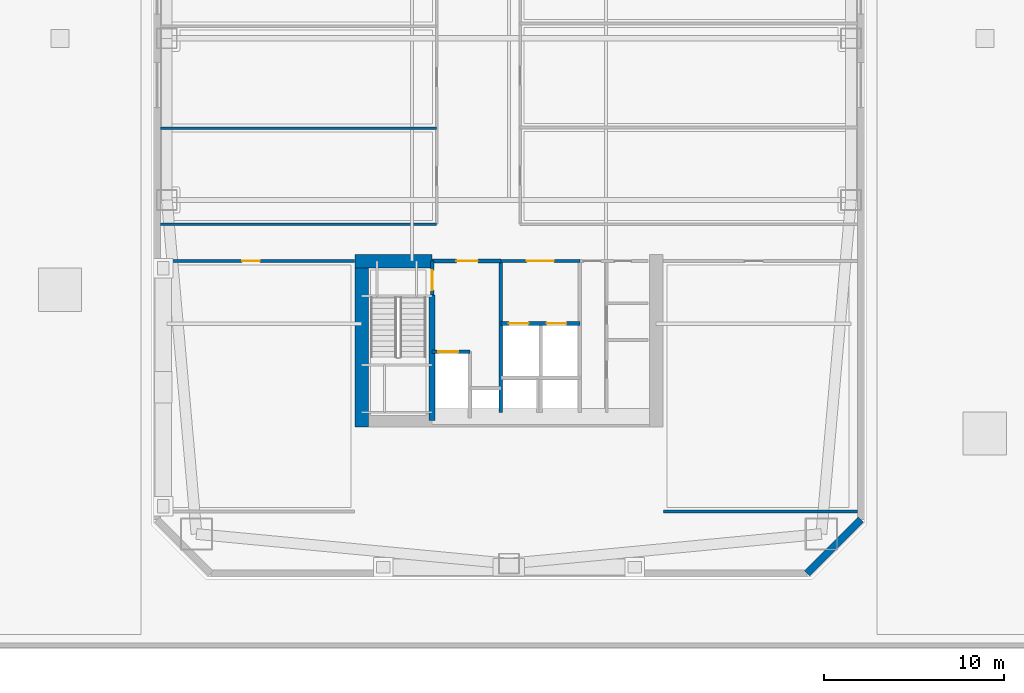
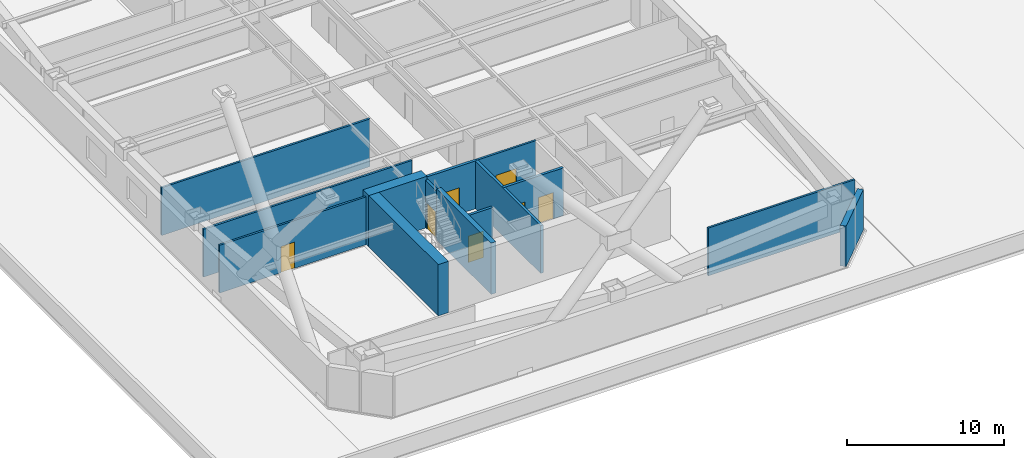
# One storey, part 5 of 20: 14 walls, 7 doors, 7 openings.
"""IFC4 building model written with IfcOpenShell, lengths in metres."""

from ifc_helpers import new_model, si_unit, direction, frame, frame_2d, origin, place, context, subcontext, project, spatial, rectangle, extrude, material, layer, layer_set, type_object, element, fill, save


model = new_model("IFC4")

# Units and contexts
model_context = context("Model", 3, precision=1e-05, world=origin(), true_north=direction((0.0, 1.0)))
body_context = subcontext(model_context, "Body", "Model", "MODEL_VIEW")
ifc_project = project(units=[si_unit("LENGTHUNIT", "METRE"), si_unit("AREAUNIT", "SQUARE_METRE"), si_unit("VOLUMEUNIT", "CUBIC_METRE"), si_unit("PLANEANGLEUNIT", "RADIAN"), si_unit("MASSUNIT", "GRAM", prefix="KILO")], contexts=[model_context])

# Site, building, storey
site_placement = place(None, origin())
site = spatial("IfcSite", under=ifc_project, at=site_placement, CompositionType="ELEMENT")
building_placement = place(site_placement, origin())
building = spatial("IfcBuilding", under=site, at=building_placement, Name="Qiaolan Cultural Towers", CompositionType="ELEMENT")
storey_placement = place(building_placement, frame((0.0, 0.0, 26.0)))
storey = spatial("IfcBuildingStorey", under=building, at=storey_placement, Name="L05", CompositionType="ELEMENT", Elevation=26.0)

# Walls
ifc_material_1 = material(Name="Concrete C50", Category="concrete")
ifc_layer_1 = layer(ifc_material_1, 0.35009765625)
ifc_layer_set_1 = layer_set([ifc_layer_1], Name="Concrete C50")
wall_type_1 = type_object("IfcWallType", Name="WL-CORE-350", PredefinedType="SHEAR", material=ifc_layer_set_1)
wall_1_placement = place(storey_placement, frame((25.719970703125, 19.699951171875, 0.0), z_axis=(0.0, 0.0, 1.0), x_axis=(0.0, -1.0, 0.0)))
element("IfcWall", 1, at=wall_1_placement, inside=storey, type_object=wall_type_1, Name="L05 T1-CS Stair Core Dividing Web", PredefinedType="SHEAR", context=body_context, shape_type="SweptSolid", body=[
    extrude(rectangle(XDim=6.97998046875, YDim=0.35009765625, at=frame_2d((3.489990234375, 0.0))), origin(), (0.0, 0.0, 1.0), 4.0),
])
ifc_material_2 = material(Name="Concrete C60", Category="concrete")
ifc_layer_2 = layer(ifc_material_2, 0.75)
ifc_layer_set_2 = layer_set([ifc_layer_2], Name="Concrete C60")
wall_type_2 = type_object("IfcWallType", Name="WL-CORE-750", PredefinedType="SHEAR", material=ifc_layer_set_2)
wall_2_placement = place(storey_placement, frame((21.800048828125, 21.97509765625, 0.0), z_axis=(0.0, 0.0, 1.0), x_axis=(0.0, -1.0, 0.0)))
element("IfcWall", 2, at=wall_2_placement, inside=storey, type_object=wall_type_2, Name="L05 T1-CS West Core Shear Wall", PredefinedType="SHEAR", context=body_context, shape_type="SweptSolid", body=[
    extrude(rectangle(XDim=9.630126953125, YDim=0.75, at=frame_2d((4.81494140625, 0.0))), origin(), (0.0, 0.0, 1.0), 4.0),
])
wall_3_placement = place(storey_placement, frame((21.425048828125, 21.60009765625, 0.0), z_axis=(0.0, 0.0, 1.0), x_axis=(1.0, 0.0, 0.0)))
element("IfcWall", 3, at=wall_3_placement, inside=storey, type_object=wall_type_2, Name="L05 T1-CS Stair Front Shear Wall", PredefinedType="SHEAR", context=body_context, shape_type="SweptSolid", body=[
    extrude(rectangle(XDim=4.294921875, YDim=0.75, at=frame_2d((2.1474609375, 0.0))), origin(), (0.0, 0.0, 1.0), 4.0),
])
ifc_material_3 = material(Name="Precast Concrete C50 Honed Stone Pier", Category="masonry")
ifc_layer_3 = layer(ifc_material_3, 0.39990234375)
ifc_layer_set_3 = layer_set([ifc_layer_3], Name="Precast Concrete C50 Honed Stone Pier")
wall_type_3 = type_object("IfcWallType", Name="WL-EXT-PIER-400", PredefinedType="SOLIDWALL", material=ifc_layer_set_3)
wall_4_placement = place(storey_placement, frame((49.60009765625, 7.199951171875, 0.0), z_axis=(0.0, 0.0, 1.0), x_axis=(-0.707106781187, -0.707106781187, 0.0)))
element("IfcWall", 4, at=wall_4_placement, inside=storey, type_object=wall_type_3, Name="L05 West Tower Precast Pier Facade Wall F6", PredefinedType="SOLIDWALL", context=body_context, shape_type="SweptSolid", body=[
    extrude(rectangle(XDim=4.24267578125, YDim=0.39990234375, at=frame_2d((2.121337890625, 0.0))), origin(), (0.0, 0.0, 1.0), 3.159912109375),
])

# Wall, opening, door
ifc_material_4 = material(Name="Concrete C35 Fire Wall", Category="concrete")
ifc_layer_4 = layer(ifc_material_4, 0.199951171875)
ifc_layer_set_4 = layer_set([ifc_layer_4], Name="Concrete C35 Fire Wall")
wall_type_4 = type_object("IfcWallType", Name="WL-FIRE-200", PredefinedType="PARTITIONING", material=ifc_layer_set_4)
wall_5_placement = place(storey_placement, frame((25.719970703125, 21.60009765625, 0.0), z_axis=(0.0, 0.0, 1.0), x_axis=(0.0, -1.0, 0.0)))
wall_5 = element("IfcWall", 5, at=wall_5_placement, inside=storey, type_object=wall_type_4, Name="L05 T1-CS Smokeproof Stair Entry Wall", PredefinedType="PARTITIONING", context=body_context, shape_type="SweptSolid", body=[
    extrude(rectangle(XDim=1.900146484375, YDim=0.199951171875, at=frame_2d((0.9501953125, 0.0))), origin(), (0.0, 0.0, 1.0), 3.72509765625),
])
opening_1_placement = place(wall_5_placement, frame((0.52001953125, 0.0, 0.0)))
opening_1 = element("IfcOpeningElement", 6, at=opening_1_placement, cuts=wall_5, Name="Opening FD-04", PredefinedType="OPENING", context=body_context, shape_type="SweptSolid", body=[
    extrude(rectangle(XDim=1.10009765625, YDim=2.050048828125, at=frame_2d((0.550048828125, 1.02490234375))), frame((0.0, 0.10986328125, 0.0), z_axis=(0.0, -1.0, 0.0), x_axis=(1.0, 0.0, 0.0)), (0.0, 0.0, 1.0), 0.219970703125),
])
ifc_material_5 = material(Name="Galvanized Steel Command Fire Door", Category="steel")
door_type_1 = type_object("IfcDoorType", Name="DR-FD90-1100", OperationType="NOTDEFINED", PredefinedType="DOOR", material=ifc_material_5)
door_1_placement = place(opening_1_placement, origin())
door_1 = element("IfcDoor", 7, at=door_1_placement, inside=storey, type_object=door_type_1, Name="L05 ST-W1 Smokeproof Stair Fire Door", OperationType="SINGLE_SWING_LEFT", OverallHeight=2.050048828125, OverallWidth=1.10009765625, PredefinedType="DOOR", context=body_context, shape_type="SweptSolid", body=[
    extrude(rectangle(XDim=1.10009765625, YDim=2.050048828125, at=frame_2d((0.550048828125, 1.02490234375))), frame((0.0, 0.02490234375, 0.0), z_axis=(0.0, -1.0, 0.0), x_axis=(1.0, 0.0, 0.0)), (0.0, 0.0, 1.0), 0.050048828125),
])
fill(opening_1, door_1)

# Wall
wall_6_placement = place(storey_placement, frame((29.550048828125, 21.60009765625, 0.0), z_axis=(0.0, 0.0, 1.0), x_axis=(0.0, -1.0, 0.0)))
element("IfcWall", 8, at=wall_6_placement, inside=storey, type_object=wall_type_4, Name="L05 T1-CS Firefighting Zone Wall", PredefinedType="PARTITIONING", context=body_context, shape_type="SweptSolid", body=[
    extrude(rectangle(XDim=8.43017578125, YDim=0.199951171875, at=frame_2d((4.215087890625, 0.0))), origin(), (0.0, 0.0, 1.0), 3.72509765625),
])

# Wall, opening, door
wall_7_placement = place(storey_placement, frame((25.719970703125, 21.60009765625, 0.0), z_axis=(0.0, 0.0, 1.0), x_axis=(1.0, 0.0, 0.0)))
wall_7 = element("IfcWall", 9, at=wall_7_placement, inside=storey, type_object=wall_type_4, Name="L05 T1-CS Firefighting Lobby Front Wall", PredefinedType="PARTITIONING", context=body_context, shape_type="SweptSolid", body=[
    extrude(rectangle(XDim=3.830078125, YDim=0.199951171875, at=frame_2d((1.9150390625, 0.0))), origin(), (0.0, 0.0, 1.0), 3.72509765625),
])
opening_2_placement = place(wall_7_placement, frame((1.35009765625, 0.0, 0.0)))
opening_2 = element("IfcOpeningElement", 10, at=opening_2_placement, cuts=wall_7, Name="Opening FD-03", PredefinedType="OPENING", context=body_context, shape_type="SweptSolid", body=[
    extrude(rectangle(XDim=1.199951171875, YDim=2.050048828125, at=frame_2d((0.60009765625, 1.02490234375))), frame((0.0, 0.10986328125, 0.0), z_axis=(0.0, -1.0, 0.0), x_axis=(1.0, 0.0, 0.0)), (0.0, 0.0, 1.0), 0.219970703125),
])
ifc_material_6 = material(Name="Galvanized Steel Smokeproof Lobby Fire Door", Category="steel")
door_type_2 = type_object("IfcDoorType", Name="DR-FD90-1200", OperationType="NOTDEFINED", PredefinedType="DOOR", material=ifc_material_6)
door_2_placement = place(opening_2_placement, origin())
door_2 = element("IfcDoor", 11, at=door_2_placement, inside=storey, type_object=door_type_2, Name="L05 FFL-W1 Firefighting Lobby Fire Door", OperationType="SINGLE_SWING_LEFT", OverallHeight=2.050048828125, OverallWidth=1.199951171875, PredefinedType="DOOR", context=body_context, shape_type="SweptSolid", body=[
    extrude(rectangle(XDim=1.199951171875, YDim=2.050048828125, at=frame_2d((0.60009765625, 1.02490234375))), frame((0.0, 0.02490234375, 0.0), z_axis=(0.0, -1.0, 0.0), x_axis=(1.0, 0.0, 0.0)), (0.0, 0.0, 1.0), 0.050048828125),
])
fill(opening_2, door_2)

wall_8_placement = place(storey_placement, frame((25.719970703125, 16.550048828125, 0.0), z_axis=(0.0, 0.0, 1.0), x_axis=(1.0, 0.0, 0.0)))
wall_8 = element("IfcWall", 12, at=wall_8_placement, inside=storey, type_object=wall_type_4, Name="L05 T1-CS Firefighting Shaft Front Wall", PredefinedType="PARTITIONING", context=body_context, shape_type="SweptSolid", body=[
    extrude(rectangle(XDim=2.10009765625, YDim=0.199951171875, at=frame_2d((1.050048828125, 0.0))), origin(), (0.0, 0.0, 1.0), 3.72509765625),
])
opening_3_placement = place(wall_8_placement, frame((0.35009765625, 0.0, 0.0)))
opening_3 = element("IfcOpeningElement", 13, at=opening_3_placement, cuts=wall_8, Name="Opening LD-01", PredefinedType="OPENING", context=body_context, shape_type="SweptSolid", body=[
    extrude(rectangle(XDim=1.10009765625, YDim=2.050048828125, at=frame_2d((0.550048828125, 1.02490234375))), frame((0.0, 0.10986328125, 0.0), z_axis=(0.0, -1.0, 0.0), x_axis=(1.0, 0.0, 0.0)), (0.0, 0.0, 1.0), 0.219970703125),
])
ifc_material_7 = material(Name="Brushed Stainless Steel S30408 Centre-Parting Lift Landing Door", Category="steel")
door_type_3 = type_object("IfcDoorType", Name="DR-LIFT-1100", OperationType="NOTDEFINED", PredefinedType="DOOR", material=ifc_material_7)
door_3_placement = place(opening_3_placement, origin())
door_3 = element("IfcDoor", 14, at=door_3_placement, inside=storey, type_object=door_type_3, Name="L05 FFL-W1 Firefighting Lift Landing Door", OperationType="DOUBLE_DOOR_SLIDING", OverallHeight=2.050048828125, OverallWidth=1.10009765625, PredefinedType="DOOR", context=body_context, shape_type="SweptSolid", body=[
    extrude(rectangle(XDim=1.10009765625, YDim=2.050048828125, at=frame_2d((0.550048828125, 1.02490234375))), frame((0.0, 0.02490234375, 0.0), z_axis=(0.0, -1.0, 0.0), x_axis=(1.0, 0.0, 0.0)), (0.0, 0.0, 1.0), 0.050048828125),
])
fill(opening_3, door_3)

# Wall, openings, doors
wall_9_placement = place(storey_placement, frame((29.550048828125, 18.1201171875, 0.0), z_axis=(0.0, 0.0, 1.0), x_axis=(1.0, 0.0, 0.0)))
wall_9 = element("IfcWall", 15, at=wall_9_placement, inside=storey, type_object=wall_type_4, Name="L05 T1-CS Passenger Lift Shaft Front Wall", PredefinedType="PARTITIONING", context=body_context, shape_type="SweptSolid", body=[
    extrude(rectangle(XDim=4.39990234375, YDim=0.199951171875, at=frame_2d((2.199951171875, 0.0))), origin(), (0.0, 0.0, 1.0), 3.72509765625),
])
opening_4_placement = place(wall_9_placement, frame((0.449951171875, 0.0, 0.0)))
opening_4 = element("IfcOpeningElement", 16, at=opening_4_placement, cuts=wall_9, Name="Opening LD-01", PredefinedType="OPENING", context=body_context, shape_type="SweptSolid", body=[
    extrude(rectangle(XDim=1.10009765625, YDim=2.050048828125, at=frame_2d((0.550048828125, 1.02490234375))), frame((0.0, 0.10986328125, 0.0), z_axis=(0.0, -1.0, 0.0), x_axis=(1.0, 0.0, 0.0)), (0.0, 0.0, 1.0), 0.219970703125),
])
opening_5_placement = place(wall_9_placement, frame((2.550048828125, 0.0, 0.0)))
opening_5 = element("IfcOpeningElement", 17, at=opening_5_placement, cuts=wall_9, Name="Opening LD-01", PredefinedType="OPENING", context=body_context, shape_type="SweptSolid", body=[
    extrude(rectangle(XDim=1.10009765625, YDim=2.050048828125, at=frame_2d((0.550048828125, 1.02490234375))), frame((0.0, 0.10986328125, 0.0), z_axis=(0.0, -1.0, 0.0), x_axis=(1.0, 0.0, 0.0)), (0.0, 0.0, 1.0), 0.219970703125),
])
door_4_placement = place(opening_4_placement, origin())
door_4 = element("IfcDoor", 18, at=door_4_placement, inside=storey, type_object=door_type_3, Name="L05 Passenger Lift 1 Landing Door", OperationType="DOUBLE_DOOR_SLIDING", OverallHeight=2.050048828125, OverallWidth=1.10009765625, PredefinedType="DOOR", context=body_context, shape_type="SweptSolid", body=[
    extrude(rectangle(XDim=1.10009765625, YDim=2.050048828125, at=frame_2d((0.550048828125, 1.02490234375))), frame((0.0, 0.02490234375, 0.0), z_axis=(0.0, -1.0, 0.0), x_axis=(1.0, 0.0, 0.0)), (0.0, 0.0, 1.0), 0.050048828125),
])
fill(opening_4, door_4)
door_5_placement = place(opening_5_placement, origin())
door_5 = element("IfcDoor", 19, at=door_5_placement, inside=storey, type_object=door_type_3, Name="L05 Passenger Lift 2 Landing Door", OperationType="DOUBLE_DOOR_SLIDING", OverallHeight=2.050048828125, OverallWidth=1.10009765625, PredefinedType="DOOR", context=body_context, shape_type="SweptSolid", body=[
    extrude(rectangle(XDim=1.10009765625, YDim=2.050048828125, at=frame_2d((0.550048828125, 1.02490234375))), frame((0.0, 0.02490234375, 0.0), z_axis=(0.0, -1.0, 0.0), x_axis=(1.0, 0.0, 0.0)), (0.0, 0.0, 1.0), 0.050048828125),
])
fill(opening_5, door_5)

# Wall, opening, door
ifc_material_8 = material(Name="Autoclaved Aerated Concrete Block B06", Category="concrete")
ifc_layer_5 = layer(ifc_material_8, 0.14990234375)
ifc_layer_set_5 = layer_set([ifc_layer_5], Name="Autoclaved Aerated Concrete Block B06")
wall_type_5 = type_object("IfcWallType", Name="WL-PART-150", PredefinedType="PARTITIONING", material=ifc_layer_set_5)
wall_10_placement = place(storey_placement, frame((29.550048828125, 21.60009765625, 0.0), z_axis=(0.0, 0.0, 1.0), x_axis=(1.0, 0.0, 0.0)))
wall_10 = element("IfcWall", 20, at=wall_10_placement, inside=storey, type_object=wall_type_5, Name="L05 T1-CS Passenger Lift Lobby Front Wall", PredefinedType="PARTITIONING", context=body_context, shape_type="SweptSolid", body=[
    extrude(rectangle(XDim=4.39990234375, YDim=0.14990234375, at=frame_2d((2.199951171875, 0.0))), origin(), (0.0, 0.0, 1.0), 3.72509765625),
])
opening_6_placement = place(wall_10_placement, frame((1.449951171875, 0.0, 0.0)))
opening_6 = element("IfcOpeningElement", 21, at=opening_6_placement, cuts=wall_10, Name="Opening FD-05", PredefinedType="OPENING", context=body_context, shape_type="SweptSolid", body=[
    extrude(rectangle(XDim=1.5, YDim=2.050048828125, at=frame_2d((0.75, 1.02490234375))), frame((0.0, 0.0849609375, 0.0), z_axis=(0.0, -1.0, 0.0), x_axis=(1.0, 0.0, 0.0)), (0.0, 0.0, 1.0), 0.169921875),
])
ifc_material_9 = material(Name="Painted Steel Lift Lobby Fire Door", Category="steel")
door_type_4 = type_object("IfcDoorType", Name="DR-FD60-1500", OperationType="NOTDEFINED", PredefinedType="DOOR", material=ifc_material_9)
door_6_placement = place(opening_6_placement, origin())
door_6 = element("IfcDoor", 22, at=door_6_placement, inside=storey, type_object=door_type_4, Name="L05 Passenger Lift Lobby Entrance", OperationType="SINGLE_SWING_LEFT", OverallHeight=2.050048828125, OverallWidth=1.5, PredefinedType="DOOR", context=body_context, shape_type="SweptSolid", body=[
    extrude(rectangle(XDim=1.5, YDim=2.050048828125, at=frame_2d((0.75, 1.02490234375))), frame((0.0, 0.02490234375, 0.0), z_axis=(0.0, -1.0, 0.0), x_axis=(1.0, 0.0, 0.0)), (0.0, 0.0, 1.0), 0.050048828125),
])
fill(opening_6, door_6)

wall_11_placement = place(storey_placement, frame((10.60009765625, 21.60009765625, 0.0), z_axis=(0.0, 0.0, 1.0), x_axis=(1.0, 0.0, 0.0)))
wall_11 = element("IfcWall", 23, at=wall_11_placement, inside=storey, type_object=wall_type_5, Name="L05 T1 Flank Front FLK-SW", PredefinedType="PARTITIONING", context=body_context, shape_type="SweptSolid", body=[
    extrude(rectangle(XDim=10.7998046875, YDim=0.14990234375, at=frame_2d((5.39990234375, 0.0))), origin(), (0.0, 0.0, 1.0), 3.72509765625),
])
opening_7_placement = place(wall_11_placement, frame((4.535888671875, 0.0, 0.0)))
opening_7 = element("IfcOpeningElement", 24, at=opening_7_placement, cuts=wall_11, Name="Opening ID-04", PredefinedType="OPENING", context=body_context, shape_type="SweptSolid", body=[
    extrude(rectangle(XDim=1.0, YDim=2.050048828125, at=frame_2d((0.5, 1.02490234375))), frame((0.0, 0.0849609375, 0.0), z_axis=(0.0, -1.0, 0.0), x_axis=(1.0, 0.0, 0.0)), (0.0, 0.0, 1.0), 0.169921875),
])
ifc_material_10 = material(Name="Oak Veneer Acoustic Office Door", Category="timber")
door_type_5 = type_object("IfcDoorType", Name="DR-INT-1000", OperationType="NOTDEFINED", PredefinedType="DOOR", material=ifc_material_10)
door_7_placement = place(opening_7_placement, origin())
door_7 = element("IfcDoor", 25, at=door_7_placement, inside=storey, type_object=door_type_5, Name="L05 T1 Corner Studio Door", OperationType="SINGLE_SWING_LEFT", OverallHeight=2.050048828125, OverallWidth=1.0, PredefinedType="DOOR", context=body_context, shape_type="SweptSolid", body=[
    extrude(rectangle(XDim=1.0, YDim=2.050048828125, at=frame_2d((0.5, 1.02490234375))), frame((0.0, 0.02490234375, 0.0), z_axis=(0.0, -1.0, 0.0), x_axis=(1.0, 0.0, 0.0)), (0.0, 0.0, 1.0), 0.050048828125),
])
fill(opening_7, door_7)

# Walls
wall_12_placement = place(storey_placement, frame((38.60009765625, 7.64990234375, 0.0), z_axis=(0.0, 0.0, 1.0), x_axis=(1.0, 0.0, 0.0)))
element("IfcWall", 26, at=wall_12_placement, inside=storey, type_object=wall_type_5, Name="L05 T1 Flank Wall FLK-SE", PredefinedType="PARTITIONING", context=body_context, shape_type="SweptSolid", body=[
    extrude(rectangle(XDim=10.7998046875, YDim=0.14990234375, at=frame_2d((5.39990234375, 0.0))), origin(), (0.0, 0.0, 1.0), 3.72509765625),
])
for number, where, z_axis, x_axis, name in (
    (27, (10.60009765625, 23.64990234375, 0.0), (0.0, 0.0, 1.0), (1.0, 0.0, 0.0), "L05 T1 South Corridor Left Wall"),
    (28, (10.60009765625, 29.0, 0.0), (0.0, 0.0, 1.0), (1.0, 0.0, 0.0), "L05 T1 West Partition 1"),
):
    element("IfcWall", number, at=place(storey_placement, frame(where, z_axis=z_axis, x_axis=x_axis)), inside=storey, type_object=wall_type_5, Name=name, PredefinedType="PARTITIONING", context=body_context, shape_type="SweptSolid", body=[
        extrude(rectangle(XDim=15.375, YDim=0.14990234375, at=frame_2d((7.6875, 0.0))), origin(), (0.0, 0.0, 1.0), 3.72509765625),
    ])

save(model, "model.ifc")
